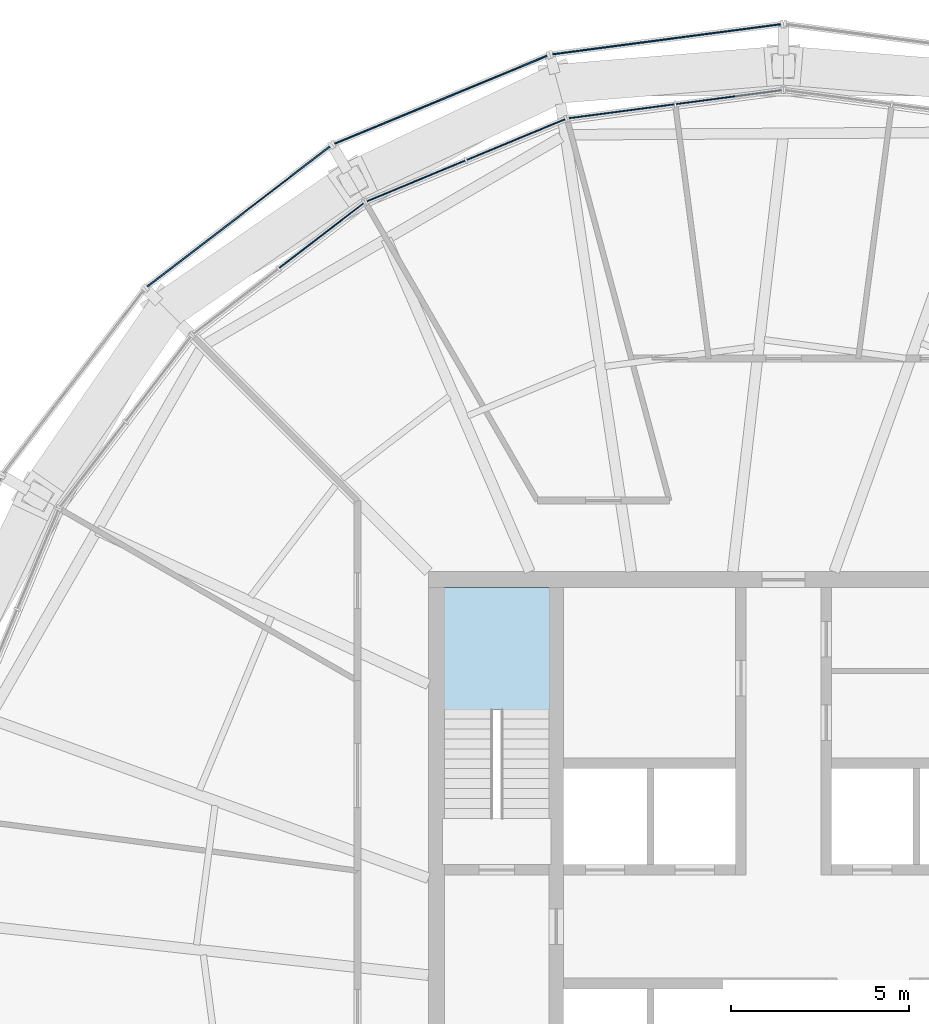
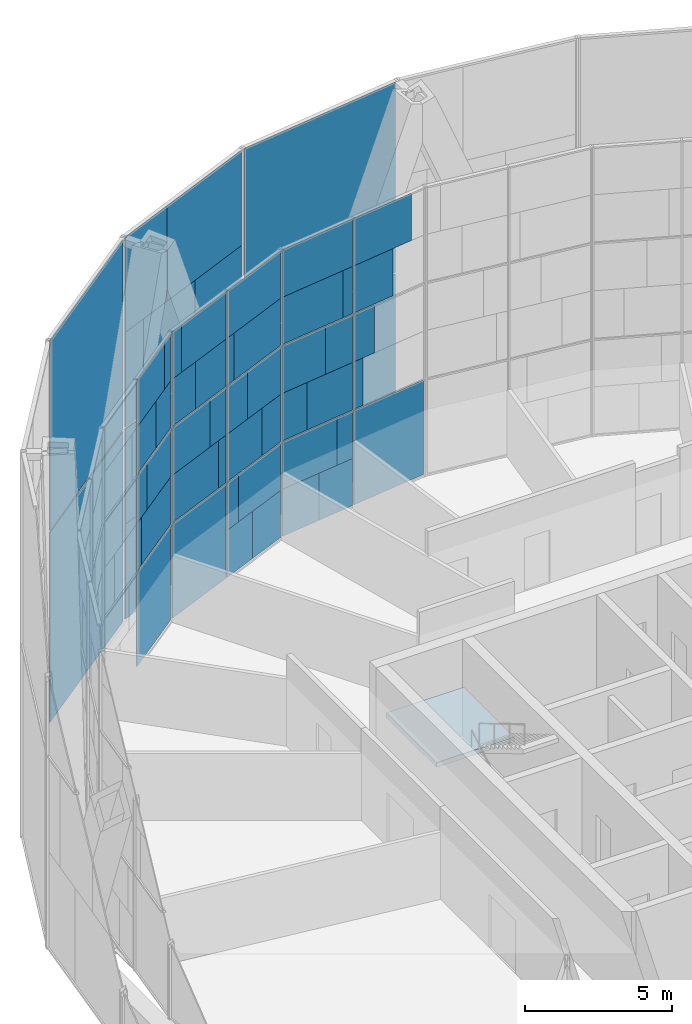
# One storey, part 20 of 26: 59 plates, 1 slab, 7 elements without a shape of their own.
"""IFC4 building model written with IfcOpenShell, lengths in metres."""

from ifc_helpers import new_model, si_unit, direction, frame, origin, origin_2d, place, context, subcontext, project, spatial, polyline, rectangle, outline, extrude, material, layer, layer_set, type_object, element, aggregate, save


model = new_model("IFC4")

# Units and contexts
model_context = context("Model", 3, precision=1e-05, world=origin(), true_north=direction((0.0, 1.0)))
body_context = subcontext(model_context, "Body", "Model", "MODEL_VIEW")
ifc_project = project(units=[si_unit("LENGTHUNIT", "METRE"), si_unit("AREAUNIT", "SQUARE_METRE"), si_unit("VOLUMEUNIT", "CUBIC_METRE"), si_unit("PLANEANGLEUNIT", "RADIAN"), si_unit("MASSUNIT", "GRAM", prefix="KILO")], contexts=[model_context])

# Site, building, storey
site_placement = place(None, origin())
site = spatial("IfcSite", under=ifc_project, at=site_placement, CompositionType="ELEMENT")
building_placement = place(site_placement, origin())
building = spatial("IfcBuilding", under=site, at=building_placement, Name="Golbaran Civic Tower", CompositionType="ELEMENT")
storey_placement = place(building_placement, frame((0.0, 0.0, 199.0)))
storey = spatial("IfcBuildingStorey", under=building, at=storey_placement, Name="L48", CompositionType="ELEMENT", Elevation=199.0)

# Curtain wall, plates
ifc_material_1 = material(Name="Aluminium and glass", Category="aluminium")
curtain_wall_type_1 = type_object("IfcCurtainWallType", Name="INNER SKIN CURTAIN WALL EXECUTIVE", PredefinedType="NOTDEFINED", material=ifc_material_1)
curtain_wall_1_placement = place(storey_placement, origin())
curtain_wall_1 = element("IfcCurtainWall", 1, at=curtain_wall_1_placement, inside=storey, type_object=curtain_wall_type_1, Name="Inner skin L48 facet 7 CW2", ObjectType="INNER SKIN", PredefinedType="USERDEFINED")
ifc_material_2 = material(Name="Clear insulating glass", Category="glass")
ifc_layer_1 = layer(ifc_material_2, 0.031982421875, Name="Clear insulating glass")
ifc_layer_set_1 = layer_set([ifc_layer_1], Name="Clear insulating glass")
plate_type_1 = type_object("IfcPlateType", Name="INNER SKIN CURTAIN WALL EXECUTIVE GLAZED PANEL", PredefinedType="CURTAIN_PANEL", material=ifc_layer_set_1)
plate_1_placement = place(storey_placement, frame((-1.539794921875, 23.3642578125, 0.06005859375), z_axis=(0.0, 0.0, 1.0), x_axis=(-0.991444861372, -0.130526192237, 0.0)))
plate_1 = element("IfcPlate", 2, at=plate_1_placement, type_object=plate_type_1, Name="CW2 panel 1.1", PredefinedType="CURTAIN_PANEL", context=body_context, shape_type="SweptSolid", body=[
    extrude(rectangle(XDim=2.986083984375, YDim=0.031982421875, at=origin_2d()), origin(), (0.0, 0.0, 1.0), 3.909912109375),
])
plate_2_placement = place(storey_placement, frame((-3.789794921875, 23.068115234375, 0.06005859375), z_axis=(0.0, 0.0, 1.0), x_axis=(-0.991444861372, -0.130526192237, 0.0)))
plate_2 = element("IfcPlate", 3, at=plate_2_placement, type_object=plate_type_1, Name="CW2 panel 2.1 part 1", PredefinedType="CURTAIN_PANEL", context=body_context, shape_type="SweptSolid", body=[
    extrude(rectangle(XDim=1.43310546875, YDim=0.031982421875, at=origin_2d()), origin(), (0.0, 0.0, 1.0), 1.955078125),
])
plate_3_placement = place(storey_placement, frame((-3.40380859375, 23.118896484375, 2.014892578125), z_axis=(0.0, 0.0, 1.0), x_axis=(-0.991444861372, -0.130526192237, 0.0)))
plate_3 = element("IfcPlate", 4, at=plate_3_placement, type_object=plate_type_1, Name="CW2 panel 2.1 part 3", PredefinedType="CURTAIN_PANEL", context=body_context, shape_type="SweptSolid", body=[
    extrude(rectangle(XDim=0.654052734375, YDim=0.031982421875, at=origin_2d()), origin(), (0.0, 0.0, 1.0), 1.955078125),
])
plate_4_placement = place(storey_placement, frame((-5.52587890625, 22.839599609375, 4.02978515625), z_axis=(0.0, 0.0, 1.0), x_axis=(-0.991444861372, -0.130526192237, 0.0)))
plate_4 = element("IfcPlate", 5, at=plate_4_placement, type_object=plate_type_1, Name="CW2 panel 2.2 part 2", PredefinedType="CURTAIN_PANEL", context=body_context, shape_type="SweptSolid", body=[
    extrude(rectangle(XDim=1.037109375, YDim=0.031982421875, at=origin_2d()), origin(), (0.0, 0.0, 1.0), 1.969970703125),
])
plate_5_placement = place(storey_placement, frame((-5.13671875, 22.890625, 6.0), z_axis=(0.0, 0.0, 1.0), x_axis=(-0.991444861372, -0.130526192237, 0.0)))
plate_5 = element("IfcPlate", 6, at=plate_5_placement, type_object=plate_type_1, Name="CW2 panel 2.2 part 4", PredefinedType="CURTAIN_PANEL", context=body_context, shape_type="SweptSolid", body=[
    extrude(rectangle(XDim=1.822021484375, YDim=0.031982421875, at=origin_2d()), origin(), (0.0, 0.0, 1.0), 1.969970703125),
])
plate_6_placement = place(storey_placement, frame((-4.758056640625, 22.940673828125, 8.030029296875), z_axis=(0.0, 0.0, 1.0), x_axis=(-0.991444861372, -0.130526192237, 0.0)))
plate_6 = element("IfcPlate", 7, at=plate_6_placement, type_object=plate_type_1, Name="CW2 panel 2.3 part 2", PredefinedType="CURTAIN_PANEL", context=body_context, shape_type="SweptSolid", body=[
    extrude(rectangle(XDim=2.586181640625, YDim=0.031982421875, at=origin_2d()), origin(), (0.0, 0.0, 1.0), 1.955078125),
])
plate_7_placement = place(storey_placement, frame((-4.559814453125, 22.966796875, 9.98486328125), z_axis=(0.0, 0.0, 1.0), x_axis=(-0.991444861372, -0.130526192237, 0.0)))
plate_7 = element("IfcPlate", 8, at=plate_7_placement, type_object=plate_type_1, Name="CW2 panel 2.3 part 3", PredefinedType="CURTAIN_PANEL", context=body_context, shape_type="SweptSolid", body=[
    extrude(rectangle(XDim=2.986083984375, YDim=0.031982421875, at=origin_2d()), origin(), (0.0, 0.0, 1.0), 1.955078125),
])

curtain_wall_2_placement = place(storey_placement, origin())
curtain_wall_2 = element("IfcCurtainWall", 9, at=curtain_wall_2_placement, inside=storey, type_object=curtain_wall_type_1, Name="Inner skin L48 facet 8 CW2", ObjectType="INNER SKIN", PredefinedType="USERDEFINED")
plate_8_placement = place(storey_placement, frame((-8.251708984375, 21.87255859375, 0.06005859375), z_axis=(0.0, 0.0, 1.0), x_axis=(-0.923879532518, -0.382683432349, 0.0)))
plate_8 = element("IfcPlate", 10, at=plate_8_placement, type_object=plate_type_1, Name="CW2 panel 1.1 part 2", PredefinedType="CURTAIN_PANEL", context=body_context, shape_type="SweptSolid", body=[
    extrude(rectangle(XDim=1.43310546875, YDim=0.031982421875, at=origin_2d()), origin(), (0.0, 0.0, 1.0), 1.955078125),
])
plate_9_placement = place(storey_placement, frame((-8.611572265625, 21.723388671875, 2.014892578125), z_axis=(0.0, 0.0, 1.0), x_axis=(-0.923879532518, -0.382683432349, 0.0)))
plate_9 = element("IfcPlate", 11, at=plate_9_placement, type_object=plate_type_1, Name="CW2 panel 1.1 part 4", PredefinedType="CURTAIN_PANEL", context=body_context, shape_type="SweptSolid", body=[
    extrude(rectangle(XDim=0.654052734375, YDim=0.031982421875, at=origin_2d()), origin(), (0.0, 0.0, 1.0), 1.955078125),
])
plate_10_placement = place(storey_placement, frame((-6.634033203125, 22.54248046875, 4.02978515625), z_axis=(0.0, 0.0, 1.0), x_axis=(-0.923879532518, -0.382683432349, 0.0)))
plate_10 = element("IfcPlate", 12, at=plate_10_placement, type_object=plate_type_1, Name="CW2 panel 1.2 part 1", PredefinedType="CURTAIN_PANEL", context=body_context, shape_type="SweptSolid", body=[
    extrude(rectangle(XDim=1.037109375, YDim=0.031982421875, at=origin_2d()), origin(), (0.0, 0.0, 1.0), 1.969970703125),
])
plate_11_placement = place(storey_placement, frame((-6.99658203125, 22.392333984375, 6.0), z_axis=(0.0, 0.0, 1.0), x_axis=(-0.923879532518, -0.382683432349, 0.0)))
plate_11 = element("IfcPlate", 13, at=plate_11_placement, type_object=plate_type_1, Name="CW2 panel 1.2 part 3", PredefinedType="CURTAIN_PANEL", context=body_context, shape_type="SweptSolid", body=[
    extrude(rectangle(XDim=1.822021484375, YDim=0.031982421875, at=origin_2d()), origin(), (0.0, 0.0, 1.0), 1.969970703125),
])
plate_12_placement = place(storey_placement, frame((-7.34912109375, 22.246337890625, 8.030029296875), z_axis=(0.0, 0.0, 1.0), x_axis=(-0.923879532518, -0.382683432349, 0.0)))
plate_12 = element("IfcPlate", 14, at=plate_12_placement, type_object=plate_type_1, Name="CW2 panel 1.3 part 1", PredefinedType="CURTAIN_PANEL", context=body_context, shape_type="SweptSolid", body=[
    extrude(rectangle(XDim=2.5849609375, YDim=0.031982421875, at=origin_2d()), origin(), (0.0, 0.0, 1.0), 1.955078125),
])
plate_13_placement = place(storey_placement, frame((-7.534423828125, 22.169677734375, 9.98486328125), z_axis=(0.0, 0.0, 1.0), x_axis=(-0.923879532518, -0.382683432349, 0.0)))
plate_13 = element("IfcPlate", 15, at=plate_13_placement, type_object=plate_type_1, Name="CW2 panel 1.3 part 3", PredefinedType="CURTAIN_PANEL", context=body_context, shape_type="SweptSolid", body=[
    extrude(rectangle(XDim=2.986083984375, YDim=0.031982421875, at=origin_2d()), origin(), (0.0, 0.0, 1.0), 1.955078125),
])
plate_14_placement = place(storey_placement, frame((-10.3486328125, 21.00390625, 0.06005859375), z_axis=(0.0, 0.0, 1.0), x_axis=(-0.923879532518, -0.382683432349, 0.0)))
plate_14 = element("IfcPlate", 16, at=plate_14_placement, type_object=plate_type_1, Name="CW2 panel 2.1", PredefinedType="CURTAIN_PANEL", context=body_context, shape_type="SweptSolid", body=[
    extrude(rectangle(XDim=2.986083984375, YDim=0.031982421875, at=origin_2d()), origin(), (0.0, 0.0, 1.0), 3.909912109375),
])
plate_15_placement = place(storey_placement, frame((-10.533447265625, 20.927490234375, 4.02978515625), z_axis=(0.0, 0.0, 1.0), x_axis=(-0.923879532518, -0.382683432349, 0.0)))
plate_15 = element("IfcPlate", 17, at=plate_15_placement, type_object=plate_type_1, Name="CW2 panel 2.2 part 2", PredefinedType="CURTAIN_PANEL", context=body_context, shape_type="SweptSolid", body=[
    extrude(rectangle(XDim=2.586181640625, YDim=0.031982421875, at=origin_2d()), origin(), (0.0, 0.0, 1.0), 1.969970703125),
])
plate_16_placement = place(storey_placement, frame((-10.754638671875, 20.835693359375, 6.0), z_axis=(0.0, 0.0, 1.0), x_axis=(-0.923879532518, -0.382683432349, 0.0)))
plate_16 = element("IfcPlate", 18, at=plate_16_placement, type_object=plate_type_1, Name="CW2 panel 2.2 part 4", PredefinedType="CURTAIN_PANEL", context=body_context, shape_type="SweptSolid", body=[
    extrude(rectangle(XDim=2.107177734375, YDim=0.031982421875, at=origin_2d()), origin(), (0.0, 0.0, 1.0), 1.969970703125),
])
plate_17_placement = place(storey_placement, frame((-11.125732421875, 20.68212890625, 8.030029296875), z_axis=(0.0, 0.0, 1.0), x_axis=(-0.923879532518, -0.382683432349, 0.0)))
plate_17 = element("IfcPlate", 19, at=plate_17_placement, type_object=plate_type_1, Name="CW2 panel 2.3 part 2", PredefinedType="CURTAIN_PANEL", context=body_context, shape_type="SweptSolid", body=[
    extrude(rectangle(XDim=1.30419921875, YDim=0.031982421875, at=origin_2d()), origin(), (0.0, 0.0, 1.0), 1.955078125),
])
plate_18_placement = place(storey_placement, frame((-11.485595703125, 20.532958984375, 9.98486328125), z_axis=(0.0, 0.0, 1.0), x_axis=(-0.923879532518, -0.382683432349, 0.0)))
plate_18 = element("IfcPlate", 20, at=plate_18_placement, type_object=plate_type_1, Name="CW2 panel 2.3 part 4", PredefinedType="CURTAIN_PANEL", context=body_context, shape_type="SweptSolid", body=[
    extrude(rectangle(XDim=0.525146484375, YDim=0.031982421875, at=origin_2d()), origin(), (0.0, 0.0, 1.0), 1.955078125),
])

curtain_wall_3_placement = place(storey_placement, origin())
curtain_wall_3 = element("IfcCurtainWall", 21, at=curtain_wall_3_placement, inside=storey, type_object=curtain_wall_type_1, Name="Inner skin L48 facet 9 CW2", ObjectType="INNER SKIN", PredefinedType="USERDEFINED")
plate_19_placement = place(storey_placement, frame((-13.015625, 19.464111328125, 0.06005859375), z_axis=(0.0, 0.0, 1.0), x_axis=(-0.793353340259, -0.60876142905, 0.0)))
plate_19 = element("IfcPlate", 22, at=plate_19_placement, type_object=plate_type_1, Name="CW2 panel 1.1", PredefinedType="CURTAIN_PANEL", context=body_context, shape_type="SweptSolid", body=[
    extrude(rectangle(XDim=2.986083984375, YDim=0.031982421875, at=origin_2d()), origin(), (0.0, 0.0, 1.0), 3.909912109375),
])
plate_20_placement = place(storey_placement, frame((-12.8564453125, 19.586181640625, 4.02978515625), z_axis=(0.0, 0.0, 1.0), x_axis=(-0.793353340259, -0.60876142905, 0.0)))
plate_20 = element("IfcPlate", 23, at=plate_20_placement, type_object=plate_type_1, Name="CW2 panel 1.2 part 1", PredefinedType="CURTAIN_PANEL", context=body_context, shape_type="SweptSolid", body=[
    extrude(rectangle(XDim=2.5849609375, YDim=0.031982421875, at=origin_2d()), origin(), (0.0, 0.0, 1.0), 1.969970703125),
])
plate_21_placement = place(storey_placement, frame((-12.6669921875, 19.731689453125, 6.0), z_axis=(0.0, 0.0, 1.0), x_axis=(-0.793353340259, -0.60876142905, 0.0)))
plate_21 = element("IfcPlate", 24, at=plate_21_placement, type_object=plate_type_1, Name="CW2 panel 1.2 part 3", PredefinedType="CURTAIN_PANEL", context=body_context, shape_type="SweptSolid", body=[
    extrude(rectangle(XDim=2.10693359375, YDim=0.031982421875, at=origin_2d()), origin(), (0.0, 0.0, 1.0), 1.969970703125),
])
plate_22_placement = place(storey_placement, frame((-12.348388671875, 19.97607421875, 8.030029296875), z_axis=(0.0, 0.0, 1.0), x_axis=(-0.793353340259, -0.60876142905, 0.0)))
plate_22 = element("IfcPlate", 25, at=plate_22_placement, type_object=plate_type_1, Name="CW2 panel 1.3 part 1", PredefinedType="CURTAIN_PANEL", context=body_context, shape_type="SweptSolid", body=[
    extrude(rectangle(XDim=1.303955078125, YDim=0.031982421875, at=origin_2d()), origin(), (0.0, 0.0, 1.0), 1.955078125),
])
plate_23_placement = place(storey_placement, frame((-12.039306640625, 20.21337890625, 9.98486328125), z_axis=(0.0, 0.0, 1.0), x_axis=(-0.793353340259, -0.60876142905, 0.0)))
plate_23 = element("IfcPlate", 26, at=plate_23_placement, type_object=plate_type_1, Name="CW2 panel 1.3 part 3", PredefinedType="CURTAIN_PANEL", context=body_context, shape_type="SweptSolid", body=[
    extrude(rectangle(XDim=0.52490234375, YDim=0.031982421875, at=origin_2d()), origin(), (0.0, 0.0, 1.0), 1.955078125),
])

# Plate
ifc_material_3 = material(Name="Aluminium faced opaque infill panel", Category="aluminium")
ifc_layer_2 = layer(ifc_material_3, 0.031982421875, Name="Aluminium faced opaque infill panel")
ifc_layer_set_2 = layer_set([ifc_layer_2], Name="Aluminium faced opaque infill panel")
plate_type_2 = type_object("IfcPlateType", Name="INNER SKIN CURTAIN WALL EXECUTIVE OPAQUE INFILL PANEL", PredefinedType="CURTAIN_PANEL", material=ifc_layer_set_2)
plate_24_placement = place(storey_placement, frame((-2.8212890625, 23.195556640625, 4.02978515625), z_axis=(0.0, 0.0, 1.0), x_axis=(-0.991444861372, -0.130526192237, 0.0)))
plate_24 = element("IfcPlate", 27, at=plate_24_placement, type_object=plate_type_2, Name="CW2 infill panel 1.2 part 2", PredefinedType="CURTAIN_PANEL", context=body_context, shape_type="SweptSolid", body=[
    extrude(rectangle(XDim=0.401123046875, YDim=0.031982421875, at=origin_2d()), origin(), (0.0, 0.0, 1.0), 1.969970703125),
])

plate_25_placement = place(storey_placement, frame((-2.584228515625, 23.226806640625, 6.0), z_axis=(0.0, 0.0, 1.0), x_axis=(-0.991444861372, -0.130526192237, 0.0)))
plate_25 = element("IfcPlate", 28, at=plate_25_placement, type_object=plate_type_2, Name="CW2 infill panel 1.2 part 4", PredefinedType="CURTAIN_PANEL", context=body_context, shape_type="SweptSolid", body=[
    extrude(rectangle(XDim=0.879150390625, YDim=0.031982421875, at=origin_2d()), origin(), (0.0, 0.0, 1.0), 1.969970703125),
])

plate_26_placement = place(storey_placement, frame((-2.186279296875, 23.279296875, 8.030029296875), z_axis=(0.0, 0.0, 1.0), x_axis=(-0.991444861372, -0.130526192237, 0.0)))
plate_26 = element("IfcPlate", 29, at=plate_26_placement, type_object=plate_type_2, Name="CW2 infill panel 1.3 part 2", PredefinedType="CURTAIN_PANEL", context=body_context, shape_type="SweptSolid", body=[
    extrude(rectangle(XDim=1.68212890625, YDim=0.031982421875, at=origin_2d()), origin(), (0.0, 0.0, 1.0), 1.955078125),
])

plate_27_placement = place(storey_placement, frame((-1.800048828125, 23.330078125, 9.98486328125), z_axis=(0.0, 0.0, 1.0), x_axis=(-0.991444861372, -0.130526192237, 0.0)))
plate_27 = element("IfcPlate", 30, at=plate_27_placement, type_object=plate_type_2, Name="CW2 infill panel 1.3 part 4", PredefinedType="CURTAIN_PANEL", context=body_context, shape_type="SweptSolid", body=[
    extrude(rectangle(XDim=2.461181640625, YDim=0.031982421875, at=origin_2d()), origin(), (0.0, 0.0, 1.0), 1.955078125),
])

plate_28_placement = place(storey_placement, frame((-5.270263671875, 22.873046875, 0.06005859375), z_axis=(0.0, 0.0, 1.0), x_axis=(-0.991444861372, -0.130526192237, 0.0)))
plate_28 = element("IfcPlate", 31, at=plate_28_placement, type_object=plate_type_2, Name="CW2 infill panel 2.1 part 2", PredefinedType="CURTAIN_PANEL", context=body_context, shape_type="SweptSolid", body=[
    extrude(rectangle(XDim=1.55322265625, YDim=0.031982421875, at=origin_2d()), origin(), (0.0, 0.0, 1.0), 1.955078125),
])

plate_29_placement = place(storey_placement, frame((-4.884033203125, 22.924072265625, 2.014892578125), z_axis=(0.0, 0.0, 1.0), x_axis=(-0.991444861372, -0.130526192237, 0.0)))
plate_29 = element("IfcPlate", 32, at=plate_29_placement, type_object=plate_type_2, Name="CW2 infill panel 2.1 part 4", PredefinedType="CURTAIN_PANEL", context=body_context, shape_type="SweptSolid", body=[
    extrude(rectangle(XDim=2.33203125, YDim=0.031982421875, at=origin_2d()), origin(), (0.0, 0.0, 1.0), 1.955078125),
])

plate_30_placement = place(storey_placement, frame((-4.045654296875, 23.034423828125, 4.02978515625), z_axis=(0.0, 0.0, 1.0), x_axis=(-0.991444861372, -0.130526192237, 0.0)))
plate_30 = element("IfcPlate", 33, at=plate_30_placement, type_object=plate_type_2, Name="CW2 infill panel 2.2 part 1", PredefinedType="CURTAIN_PANEL", context=body_context, shape_type="SweptSolid", body=[
    extrude(rectangle(XDim=1.948974609375, YDim=0.031982421875, at=origin_2d()), origin(), (0.0, 0.0, 1.0), 1.969970703125),
])

plate_31_placement = place(storey_placement, frame((-3.656494140625, 23.085693359375, 6.0), z_axis=(0.0, 0.0, 1.0), x_axis=(-0.991444861372, -0.130526192237, 0.0)))
plate_31 = element("IfcPlate", 34, at=plate_31_placement, type_object=plate_type_2, Name="CW2 infill panel 2.2 part 3", PredefinedType="CURTAIN_PANEL", context=body_context, shape_type="SweptSolid", body=[
    extrude(rectangle(XDim=1.1640625, YDim=0.031982421875, at=origin_2d()), origin(), (0.0, 0.0, 1.0), 1.969970703125),
])

plate_32_placement = place(storey_placement, frame((-3.27783203125, 23.135498046875, 8.030029296875), z_axis=(0.0, 0.0, 1.0), x_axis=(-0.991444861372, -0.130526192237, 0.0)))
plate_32 = element("IfcPlate", 35, at=plate_32_placement, type_object=plate_type_2, Name="CW2 infill panel 2.3 part 1", PredefinedType="CURTAIN_PANEL", context=body_context, shape_type="SweptSolid", body=[
    extrude(rectangle(XDim=0.39990234375, YDim=0.031982421875, at=origin_2d()), origin(), (0.0, 0.0, 1.0), 1.955078125),
])

aggregate(curtain_wall_1, [plate_1, plate_24, plate_25, plate_26, plate_27, plate_2, plate_28, plate_3, plate_29, plate_30, plate_4, plate_31, plate_5, plate_32, plate_6, plate_7])

plate_33_placement = place(storey_placement, frame((-6.872314453125, 22.44384765625, 0.06005859375), z_axis=(0.0, 0.0, 1.0), x_axis=(-0.923879532518, -0.382683432349, 0.0)))
plate_33 = element("IfcPlate", 36, at=plate_33_placement, type_object=plate_type_2, Name="CW2 infill panel 1.1 part 1", PredefinedType="CURTAIN_PANEL", context=body_context, shape_type="SweptSolid", body=[
    extrude(rectangle(XDim=1.552978515625, YDim=0.031982421875, at=origin_2d()), origin(), (0.0, 0.0, 1.0), 1.955078125),
])

plate_34_placement = place(storey_placement, frame((-7.232177734375, 22.294921875, 2.014892578125), z_axis=(0.0, 0.0, 1.0), x_axis=(-0.923879532518, -0.382683432349, 0.0)))
plate_34 = element("IfcPlate", 37, at=plate_34_placement, type_object=plate_type_2, Name="CW2 infill panel 1.1 part 3", PredefinedType="CURTAIN_PANEL", context=body_context, shape_type="SweptSolid", body=[
    extrude(rectangle(XDim=2.33203125, YDim=0.031982421875, at=origin_2d()), origin(), (0.0, 0.0, 1.0), 1.955078125),
])

plate_35_placement = place(storey_placement, frame((-8.013427734375, 21.97119140625, 4.02978515625), z_axis=(0.0, 0.0, 1.0), x_axis=(-0.923879532518, -0.382683432349, 0.0)))
plate_35 = element("IfcPlate", 38, at=plate_35_placement, type_object=plate_type_2, Name="CW2 infill panel 1.2 part 2", PredefinedType="CURTAIN_PANEL", context=body_context, shape_type="SweptSolid", body=[
    extrude(rectangle(XDim=1.94921875, YDim=0.031982421875, at=origin_2d()), origin(), (0.0, 0.0, 1.0), 1.969970703125),
])

plate_36_placement = place(storey_placement, frame((-8.3759765625, 21.821044921875, 6.0), z_axis=(0.0, 0.0, 1.0), x_axis=(-0.923879532518, -0.382683432349, 0.0)))
plate_36 = element("IfcPlate", 39, at=plate_36_placement, type_object=plate_type_2, Name="CW2 infill panel 1.2 part 4", PredefinedType="CURTAIN_PANEL", context=body_context, shape_type="SweptSolid", body=[
    extrude(rectangle(XDim=1.1640625, YDim=0.031982421875, at=origin_2d()), origin(), (0.0, 0.0, 1.0), 1.969970703125),
])

plate_37_placement = place(storey_placement, frame((-8.728515625, 21.675048828125, 8.030029296875), z_axis=(0.0, 0.0, 1.0), x_axis=(-0.923879532518, -0.382683432349, 0.0)))
plate_37 = element("IfcPlate", 40, at=plate_37_placement, type_object=plate_type_2, Name="CW2 infill panel 1.3 part 2", PredefinedType="CURTAIN_PANEL", context=body_context, shape_type="SweptSolid", body=[
    extrude(rectangle(XDim=0.401123046875, YDim=0.031982421875, at=origin_2d()), origin(), (0.0, 0.0, 1.0), 1.955078125),
])

plate_38_placement = place(storey_placement, frame((-9.154052734375, 21.498779296875, 4.02978515625), z_axis=(0.0, 0.0, 1.0), x_axis=(-0.923879532518, -0.382683432349, 0.0)))
plate_38 = element("IfcPlate", 41, at=plate_38_placement, type_object=plate_type_2, Name="CW2 infill panel 2.2 part 1", PredefinedType="CURTAIN_PANEL", context=body_context, shape_type="SweptSolid", body=[
    extrude(rectangle(XDim=0.39990234375, YDim=0.031982421875, at=origin_2d()), origin(), (0.0, 0.0, 1.0), 1.969970703125),
])

plate_39_placement = place(storey_placement, frame((-9.375244140625, 21.4072265625, 6.0), z_axis=(0.0, 0.0, 1.0), x_axis=(-0.923879532518, -0.382683432349, 0.0)))
plate_39 = element("IfcPlate", 42, at=plate_39_placement, type_object=plate_type_2, Name="CW2 infill panel 2.2 part 3", PredefinedType="CURTAIN_PANEL", context=body_context, shape_type="SweptSolid", body=[
    extrude(rectangle(XDim=0.87890625, YDim=0.031982421875, at=origin_2d()), origin(), (0.0, 0.0, 1.0), 1.969970703125),
])

plate_40_placement = place(storey_placement, frame((-9.746337890625, 21.25341796875, 8.030029296875), z_axis=(0.0, 0.0, 1.0), x_axis=(-0.923879532518, -0.382683432349, 0.0)))
plate_40 = element("IfcPlate", 43, at=plate_40_placement, type_object=plate_type_2, Name="CW2 infill panel 2.3 part 1", PredefinedType="CURTAIN_PANEL", context=body_context, shape_type="SweptSolid", body=[
    extrude(rectangle(XDim=1.681884765625, YDim=0.031982421875, at=origin_2d()), origin(), (0.0, 0.0, 1.0), 1.955078125),
])

plate_41_placement = place(storey_placement, frame((-10.106201171875, 21.1044921875, 9.98486328125), z_axis=(0.0, 0.0, 1.0), x_axis=(-0.923879532518, -0.382683432349, 0.0)))
plate_41 = element("IfcPlate", 44, at=plate_41_placement, type_object=plate_type_2, Name="CW2 infill panel 2.3 part 3", PredefinedType="CURTAIN_PANEL", context=body_context, shape_type="SweptSolid", body=[
    extrude(rectangle(XDim=2.4609375, YDim=0.031982421875, at=origin_2d()), origin(), (0.0, 0.0, 1.0), 1.955078125),
])

aggregate(curtain_wall_2, [plate_33, plate_8, plate_34, plate_9, plate_10, plate_35, plate_11, plate_36, plate_12, plate_37, plate_13, plate_14, plate_38, plate_15, plate_39, plate_16, plate_40, plate_17, plate_41, plate_18])

plate_42_placement = place(storey_placement, frame((-14.041015625, 18.67724609375, 4.02978515625), z_axis=(0.0, 0.0, 1.0), x_axis=(-0.793353340259, -0.60876142905, 0.0)))
plate_42 = element("IfcPlate", 45, at=plate_42_placement, type_object=plate_type_2, Name="CW2 infill panel 1.2 part 2", PredefinedType="CURTAIN_PANEL", context=body_context, shape_type="SweptSolid", body=[
    extrude(rectangle(XDim=0.401123046875, YDim=0.031982421875, at=origin_2d()), origin(), (0.0, 0.0, 1.0), 1.969970703125),
])

plate_43_placement = place(storey_placement, frame((-13.851318359375, 18.82275390625, 6.0), z_axis=(0.0, 0.0, 1.0), x_axis=(-0.793353340259, -0.60876142905, 0.0)))
plate_43 = element("IfcPlate", 46, at=plate_43_placement, type_object=plate_type_2, Name="CW2 infill panel 1.2 part 4", PredefinedType="CURTAIN_PANEL", context=body_context, shape_type="SweptSolid", body=[
    extrude(rectangle(XDim=0.879150390625, YDim=0.031982421875, at=origin_2d()), origin(), (0.0, 0.0, 1.0), 1.969970703125),
])

plate_44_placement = place(storey_placement, frame((-13.532958984375, 19.0673828125, 8.030029296875), z_axis=(0.0, 0.0, 1.0), x_axis=(-0.793353340259, -0.60876142905, 0.0)))
plate_44 = element("IfcPlate", 47, at=plate_44_placement, type_object=plate_type_2, Name="CW2 infill panel 1.3 part 2", PredefinedType="CURTAIN_PANEL", context=body_context, shape_type="SweptSolid", body=[
    extrude(rectangle(XDim=1.68212890625, YDim=0.031982421875, at=origin_2d()), origin(), (0.0, 0.0, 1.0), 1.955078125),
])

plate_45_placement = place(storey_placement, frame((-13.223876953125, 19.304443359375, 9.98486328125), z_axis=(0.0, 0.0, 1.0), x_axis=(-0.793353340259, -0.60876142905, 0.0)))
plate_45 = element("IfcPlate", 48, at=plate_45_placement, type_object=plate_type_2, Name="CW2 infill panel 1.3 part 4", PredefinedType="CURTAIN_PANEL", context=body_context, shape_type="SweptSolid", body=[
    extrude(rectangle(XDim=2.461181640625, YDim=0.031982421875, at=origin_2d()), origin(), (0.0, 0.0, 1.0), 1.955078125),
])

aggregate(curtain_wall_3, [plate_19, plate_20, plate_42, plate_21, plate_43, plate_22, plate_44, plate_23, plate_45])

# Curtain wall, plates
curtain_wall_type_2 = type_object("IfcCurtainWallType", Name="OUTER SKIN TERRACOTTA SCREEN", PredefinedType="NOTDEFINED", material=ifc_material_1)
curtain_wall_4_placement = place(storey_placement, origin())
curtain_wall_4 = element("IfcCurtainWall", 49, at=curtain_wall_4_placement, inside=storey, type_object=curtain_wall_type_2, Name="Outer skin L48 facet 8 CW3", ObjectType="OUTER SKIN", PredefinedType="USERDEFINED")
ifc_material_4 = material(Name="Clear laminated glass", Category="glass")
ifc_layer_3 = layer(ifc_material_4, 0.0400390625, Name="Clear laminated glass")
ifc_layer_set_3 = layer_set([ifc_layer_3], Name="Clear laminated glass")
plate_type_3 = type_object("IfcPlateType", Name="OUTER SKIN CLEAR GLASS PANEL", PredefinedType="CURTAIN_PANEL", material=ifc_layer_set_3)
plate_46_placement = place(storey_placement, frame((-10.706298828125, 22.852783203125, -0.6298828125), z_axis=(0.0, 0.0, 1.0), x_axis=(-0.923879532478, -0.382683432446, 0.0)))
plate_46 = element("IfcPlate", 50, at=plate_46_placement, type_object=plate_type_3, Name="CW3 panel 1.1 part 2", PredefinedType="CURTAIN_PANEL", context=body_context, shape_type="SweptSolid", body=[
    extrude(rectangle(XDim=4.18603515625, YDim=0.0400390625, at=origin_2d()), origin(), (0.0, 0.0, 1.0), 3.93994140625),
])
plate_47_placement = place(storey_placement, frame((-7.104736328125, 24.3447265625, 3.31005859375), z_axis=(0.0, 0.0, 1.0), x_axis=(-0.923879532478, -0.382683432446, 0.0)))
plate_47 = element("IfcPlate", 51, at=plate_47_placement, type_object=plate_type_3, Name="CW3 panel 1.1 part 3", PredefinedType="CURTAIN_PANEL", context=body_context, shape_type="SweptSolid", body=[
    extrude(rectangle(XDim=0.972900390625, YDim=0.0400390625, at=origin_2d()), origin(), (0.0, 0.0, 1.0), 3.93994140625),
])
plate_48_placement = place(storey_placement, frame((-11.43115234375, 22.552734375, 3.31005859375), z_axis=(0.0, 0.0, 1.0), x_axis=(-0.923879532478, -0.382683432446, 0.0)))
plate_48 = element("IfcPlate", 52, at=plate_48_placement, type_object=plate_type_3, Name="CW3 panel 1.1 part 5", PredefinedType="CURTAIN_PANEL", context=body_context, shape_type="SweptSolid", body=[
    extrude(rectangle(XDim=2.616943359375, YDim=0.0400390625, at=origin_2d()), origin(), (0.0, 0.0, 1.0), 3.93994140625),
])
plate_49_placement = place(storey_placement, frame((-7.84521484375, 24.0380859375, 7.330078125), z_axis=(0.0, 0.0, 1.0), x_axis=(-0.923879532478, -0.382683432446, 0.0)))
plate_49 = element("IfcPlate", 53, at=plate_49_placement, type_object=plate_type_3, Name="CW3 panel 1.2 part 1", PredefinedType="CURTAIN_PANEL", context=body_context, shape_type="SweptSolid", body=[
    extrude(rectangle(XDim=2.575927734375, YDim=0.0400390625, at=origin_2d()), origin(), (0.0, 0.0, 1.0), 3.93994140625),
])
plate_50_placement = place(storey_placement, frame((-12.171142578125, 22.24609375, 7.330078125), z_axis=(0.0, 0.0, 1.0), x_axis=(-0.923879532478, -0.382683432446, 0.0)))
plate_50 = element("IfcPlate", 54, at=plate_50_placement, type_object=plate_type_3, Name="CW3 panel 1.2 part 3", PredefinedType="CURTAIN_PANEL", context=body_context, shape_type="SweptSolid", body=[
    extrude(rectangle(XDim=1.01513671875, YDim=0.0400390625, at=origin_2d()), origin(), (0.0, 0.0, 1.0), 3.93994140625),
])
plate_51_placement = place(storey_placement, frame((-8.57177734375, 23.737060546875, 11.27001953125), z_axis=(0.0, 0.0, 1.0), x_axis=(-0.923879532478, -0.382683432446, 0.0)))
plate_51 = element("IfcPlate", 55, at=plate_51_placement, type_object=plate_type_3, Name="CW3 panel 1.2 part 4", PredefinedType="CURTAIN_PANEL", context=body_context, shape_type="SweptSolid", body=[
    extrude(rectangle(XDim=4.14892578125, YDim=0.0400390625, at=origin_2d()), origin(), (0.0, 0.0, 1.0), 3.93994140625),
])
ifc_material_5 = material(Name="Terracotta baguette screen", Category="masonry")
ifc_layer_4 = layer(ifc_material_5, 0.0400390625, Name="Terracotta baguette screen")
ifc_layer_set_4 = layer_set([ifc_layer_4], Name="Terracotta baguette screen")
plate_type_4 = type_object("IfcPlateType", Name="OUTER SKIN TERRACOTTA INFILL PANEL", PredefinedType="CURTAIN_PANEL", material=ifc_layer_set_4)
plate_52_placement = place(storey_placement, frame((-7.7138671875, 24.09228515625, -0.6298828125), z_axis=(0.0, 0.0, 1.0), x_axis=(-0.923879532478, -0.382683432446, 0.0)))
plate_52 = element("IfcPlate", 56, at=plate_52_placement, type_object=plate_type_4, Name="CW3 infill panel 1.1 part 1", PredefinedType="CURTAIN_PANEL", context=body_context, shape_type="SweptSolid", body=[
    extrude(rectangle(XDim=2.2919921875, YDim=0.0400390625, at=origin_2d()), origin(), (0.0, 0.0, 1.0), 3.93994140625),
])
plate_53_placement = place(storey_placement, frame((-8.88818359375, 23.60595703125, 3.31005859375), z_axis=(0.0, 0.0, 1.0), x_axis=(-0.923879532478, -0.382683432446, 0.0)))
plate_53 = element("IfcPlate", 57, at=plate_53_placement, type_object=plate_type_4, Name="CW3 infill panel 1.1 part 4", PredefinedType="CURTAIN_PANEL", context=body_context, shape_type="SweptSolid", body=[
    extrude(rectangle(XDim=2.887939453125, YDim=0.0400390625, at=origin_2d()), origin(), (0.0, 0.0, 1.0), 3.93994140625),
])
plate_54_placement = place(storey_placement, frame((-10.36865234375, 22.99267578125, 7.330078125), z_axis=(0.0, 0.0, 1.0), x_axis=(-0.923879532478, -0.382683432446, 0.0)))
plate_54 = element("IfcPlate", 58, at=plate_54_placement, type_object=plate_type_4, Name="CW3 infill panel 1.2 part 2", PredefinedType="CURTAIN_PANEL", context=body_context, shape_type="SweptSolid", body=[
    extrude(rectangle(XDim=2.886962890625, YDim=0.0400390625, at=origin_2d()), origin(), (0.0, 0.0, 1.0), 3.93994140625),
])
plate_55_placement = place(storey_placement, frame((-11.564208984375, 22.49755859375, 11.27001953125), z_axis=(0.0, 0.0, 1.0), x_axis=(-0.923879532478, -0.382683432446, 0.0)))
plate_55 = element("IfcPlate", 59, at=plate_55_placement, type_object=plate_type_4, Name="CW3 infill panel 1.2 part 5", PredefinedType="CURTAIN_PANEL", context=body_context, shape_type="SweptSolid", body=[
    extrude(rectangle(XDim=2.3291015625, YDim=0.0400390625, at=origin_2d()), origin(), (0.0, 0.0, 1.0), 3.93994140625),
])
aggregate(curtain_wall_4, [plate_52, plate_46, plate_47, plate_53, plate_48, plate_49, plate_54, plate_50, plate_51, plate_55])

curtain_wall_5_placement = place(storey_placement, origin())
curtain_wall_5 = element("IfcCurtainWall", 60, at=curtain_wall_5_placement, inside=storey, type_object=curtain_wall_type_2, Name="Outer skin L48 facet 7 CW3", ObjectType="OUTER SKIN", PredefinedType="USERDEFINED")
ifc_layer_5 = layer(ifc_material_5, 0.0400390625, Name="Terracotta baguette screen")
ifc_layer_set_5 = layer_set([ifc_layer_5], Name="Terracotta baguette screen")
plate_type_5 = type_object("IfcPlateType", Name="OUTER SKIN TERRACOTTA SCREEN PANEL", PredefinedType="CURTAIN_PANEL", material=ifc_layer_set_5)
plate_56_placement = place(storey_placement, frame((-3.29052734375, 24.994873046875, -0.6298828125), z_axis=(0.0, 0.0, 1.0), x_axis=(-0.991444861376, -0.130526192203, 0.0)))
plate_56 = element("IfcPlate", 61, at=plate_56_placement, type_object=plate_type_5, Name="CW3 terracotta screen panel 1.1", PredefinedType="CURTAIN_PANEL", context=body_context, shape_type="SweptSolid", body=[
    extrude(rectangle(XDim=6.47802734375, YDim=0.0400390625, at=origin_2d()), origin(), (0.0, 0.0, 1.0), 7.8798828125),
])
plate_57_placement = place(storey_placement, frame((-3.29052734375, 24.994873046875, 7.330078125), z_axis=(0.0, 0.0, 1.0), x_axis=(-0.991444861376, -0.130526192203, 0.0)))
plate_57 = element("IfcPlate", 62, at=plate_57_placement, type_object=plate_type_5, Name="CW3 terracotta screen panel 1.2", PredefinedType="CURTAIN_PANEL", context=body_context, shape_type="SweptSolid", body=[
    extrude(rectangle(XDim=6.47802734375, YDim=0.0400390625, at=origin_2d()), origin(), (0.0, 0.0, 1.0), 7.8798828125),
])
aggregate(curtain_wall_5, [plate_56, plate_57])

curtain_wall_6_placement = place(storey_placement, origin())
curtain_wall_6 = element("IfcCurtainWall", 63, at=curtain_wall_6_placement, inside=storey, type_object=curtain_wall_type_2, Name="Outer skin L48 facet 9 CW3", ObjectType="OUTER SKIN", PredefinedType="USERDEFINED")
plate_58_placement = place(storey_placement, frame((-15.34716796875, 20.000732421875, -0.6298828125), z_axis=(0.0, 0.0, 1.0), x_axis=(-0.793353340323, -0.608761428967, 0.0)))
plate_58 = element("IfcPlate", 64, at=plate_58_placement, type_object=plate_type_5, Name="CW3 terracotta screen panel 1.1", PredefinedType="CURTAIN_PANEL", context=body_context, shape_type="SweptSolid", body=[
    extrude(rectangle(XDim=6.47802734375, YDim=0.0400390625, at=origin_2d()), origin(), (0.0, 0.0, 1.0), 7.8798828125),
])
plate_59_placement = place(storey_placement, frame((-15.34716796875, 20.000732421875, 7.330078125), z_axis=(0.0, 0.0, 1.0), x_axis=(-0.793353340323, -0.608761428967, 0.0)))
plate_59 = element("IfcPlate", 65, at=plate_59_placement, type_object=plate_type_5, Name="CW3 terracotta screen panel 1.2", PredefinedType="CURTAIN_PANEL", context=body_context, shape_type="SweptSolid", body=[
    extrude(rectangle(XDim=6.47802734375, YDim=0.0400390625, at=origin_2d()), origin(), (0.0, 0.0, 1.0), 7.8798828125),
])
aggregate(curtain_wall_6, [plate_58, plate_59])

# Stair, slab
ifc_material_6 = material(Name="Concrete C35/45", Category="concrete")
stair_type = type_object("IfcStairType", Name="EXIT STAIR 2950 x 7800, 4000 RISE", PredefinedType="HALF_TURN_STAIR", material=ifc_material_6)
stair_placement = place(storey_placement, origin())
stair = element("IfcStair", 66, at=stair_placement, inside=storey, type_object=stair_type, Name="Stair S1 L48", PredefinedType="HALF_TURN_STAIR")
ifc_layer_6 = layer(ifc_material_6, 0.199951171875, Name="Concrete C35/45")
ifc_layer_set_6 = layer_set([ifc_layer_6], Name="Concrete C35/45")
slab_type = type_object("IfcSlabType", Name="STAIR LANDING 200", PredefinedType="LANDING", material=ifc_layer_set_6)
slab_placement = place(storey_placement, frame((0.0, 0.0, 1.800048828125)))
slab = element("IfcSlab", 67, at=slab_placement, type_object=slab_type, Name="ST29578-40 landing 1", PredefinedType="LANDING", context=body_context, shape_type="SweptSolid", body=[
    extrude(outline(polyline([(-9.60009765625, 6.125), (-9.60009765625, 9.550048828125), (-6.550048828125, 9.550048828125), (-6.550048828125, 6.125), (-9.60009765625, 6.125)])), origin(), (0.0, 0.0, 1.0), 0.199951171875),
])
aggregate(stair, [slab])

save(model, "model.ifc")
